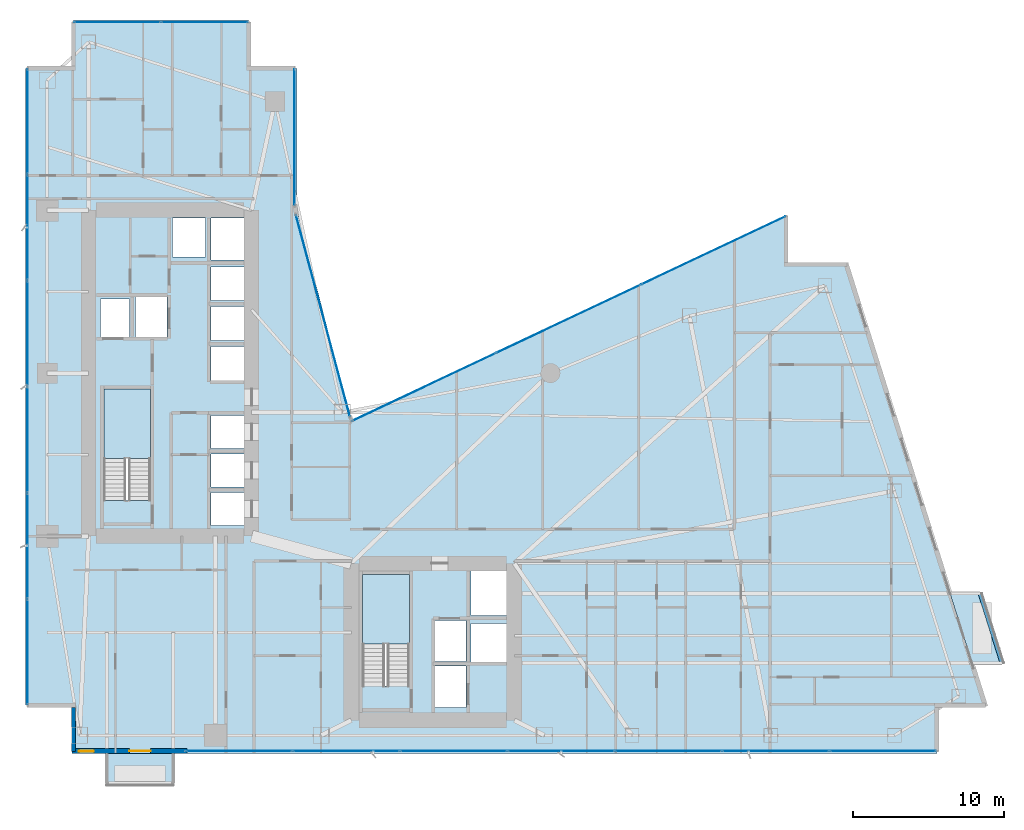
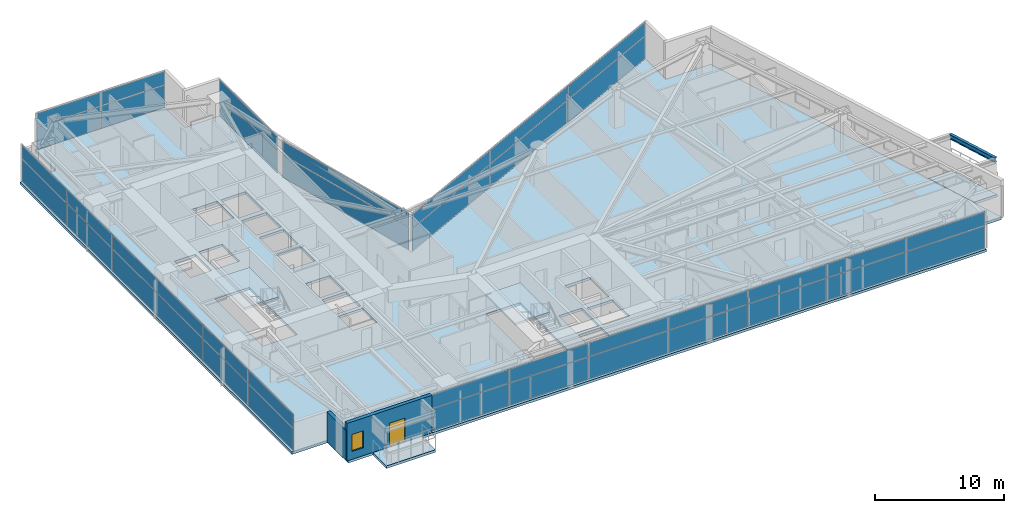
# One storey, part 21 of 30: 40 plates, 5 slabs, 2 walls, 1 beam, 1 door, 1 window, 2 openings, 8 elements without a shape of their own.
"""IFC4 building model written with IfcOpenShell, lengths in metres."""

from ifc_helpers import new_model, si_unit, direction, frame, frame_2d, origin, origin_2d, place, context, subcontext, project, spatial, polyline, rectangle, i_section, outline, extrude, material, layer, layer_set, material_profile, profile_set, type_object, element, fill, aggregate, save


model = new_model("IFC4")

# Units and contexts
model_context = context("Model", 3, precision=1e-05, world=origin(), true_north=direction((0.0, 1.0)))
body_context = subcontext(model_context, "Body", "Model", "MODEL_VIEW")
ifc_project = project(units=[si_unit("LENGTHUNIT", "METRE"), si_unit("AREAUNIT", "SQUARE_METRE"), si_unit("VOLUMEUNIT", "CUBIC_METRE"), si_unit("PLANEANGLEUNIT", "RADIAN"), si_unit("MASSUNIT", "GRAM", prefix="KILO")], contexts=[model_context])

# Site, building, storey
site_placement = place(None, origin())
site = spatial("IfcSite", under=ifc_project, at=site_placement, CompositionType="ELEMENT")
building_placement = place(site_placement, origin())
building = spatial("IfcBuilding", under=site, at=building_placement, Name="Calvorn Quay Hotel", CompositionType="ELEMENT")
storey_placement = place(building_placement, frame((0.0, 0.0, 50.800048828125)))
storey = spatial("IfcBuildingStorey", under=building, at=storey_placement, Name="L11", CompositionType="ELEMENT", Elevation=50.800048828125)

# Beam
ifc_material_1 = material(Name="Steel Q355B", Category="steel")
ifc_material_profile = material_profile(ifc_material_1, i_section(OverallWidth=0.25, OverallDepth=0.449951171875, WebThickness=0.011962890625, FlangeThickness=0.01611328125, FilletRadius=0.01611328125, at=origin_2d()), Name="HN450x250x12x16")
ifc_profile_set = profile_set([ifc_material_profile], Name="Steel Q355B")
beam_type = type_object("IfcBeamType", Name="BM-CANT-BALC", PredefinedType="BEAM", material=ifc_profile_set)
beam_placement = place(storey_placement, frame((64.7080078125, 8.39990234375, 3.31494140625), z_axis=(-0.300620172346, 0.953743944662, 0.0), x_axis=(-0.953743944662, -0.300620172346, 0.0)))
element("IfcBeam", 1, at=beam_placement, inside=storey, type_object=beam_type, Name="Beam BCBO-L12-1", PredefinedType="BEAM", context=body_context, shape_type="SweptSolid", body=[
    extrude(i_section(OverallWidth=0.25, OverallDepth=0.449951171875, WebThickness=0.011962890625, FlangeThickness=0.01611328125, FilletRadius=0.01611328125, at=origin_2d()), origin(), (0.0, 0.0, 1.0), 4.8232421875),
])

# Curtain wall, plates
ifc_material_2 = material(Name="Pale Anodised Aluminium and Low-E Glass", Category="aluminium")
ifc_layer_1 = layer(ifc_material_2, 0.219970703125)
ifc_layer_set_1 = layer_set([ifc_layer_1], Name="CW-SYS-Z1")
curtain_wall_type = type_object("IfcCurtainWallType", Name="CW-SYS-Z1", PredefinedType="NOTDEFINED", material=ifc_layer_set_1)
curtain_wall_1_placement = place(storey_placement, origin())
curtain_wall_1 = element("IfcCurtainWall", 2, at=curtain_wall_1_placement, inside=storey, type_object=curtain_wall_type, Name="Tower West Curtain Wall (L11)", PredefinedType="NOTDEFINED")
ifc_material_3 = material(Name="Low-E Laminated Double Glazing", Category="glass")
ifc_layer_2 = layer(ifc_material_3, 0.028076171875)
ifc_layer_set_2 = layer_set([ifc_layer_2], Name="CW-SYS-Z1-PAN")
plate_type = type_object("IfcPlateType", Name="CW-SYS-Z1-PAN", PredefinedType="CURTAIN_PANEL", material=ifc_layer_set_2)
plate_1_placement = place(storey_placement, frame((0.14990234375, 9.131591796875, 0.06005859375), z_axis=(0.0, 0.0, 1.0), x_axis=(0.0, 1.0, 0.0)))
plate_1 = element("IfcPlate", 3, at=plate_1_placement, type_object=plate_type, Name="CW-L11-W panel 1.1", PredefinedType="CURTAIN_PANEL", context=body_context, shape_type="SweptSolid", body=[
    extrude(rectangle(XDim=6.943359375, YDim=0.028076171875, at=origin_2d()), origin(), (0.0, 0.0, 1.0), 2.110107421875),
])
plate_2_placement = place(storey_placement, frame((0.14990234375, 9.131591796875, 2.22998046875), z_axis=(0.0, 0.0, 1.0), x_axis=(0.0, 1.0, 0.0)))
plate_2 = element("IfcPlate", 4, at=plate_2_placement, type_object=plate_type, Name="CW-L11-W panel 1.2", PredefinedType="CURTAIN_PANEL", context=body_context, shape_type="SweptSolid", body=[
    extrude(rectangle(XDim=6.943359375, YDim=0.028076171875, at=origin_2d()), origin(), (0.0, 0.0, 1.0), 1.27001953125),
])
plate_3_placement = place(storey_placement, frame((0.14990234375, 16.14990234375, 0.06005859375), z_axis=(0.0, 0.0, 1.0), x_axis=(0.0, 1.0, 0.0)))
plate_3 = element("IfcPlate", 5, at=plate_3_placement, type_object=plate_type, Name="CW-L11-W panel 2.1", PredefinedType="CURTAIN_PANEL", context=body_context, shape_type="SweptSolid", body=[
    extrude(rectangle(XDim=6.973388671875, YDim=0.028076171875, at=origin_2d()), origin(), (0.0, 0.0, 1.0), 2.110107421875),
])
plate_4_placement = place(storey_placement, frame((0.14990234375, 16.14990234375, 2.22998046875), z_axis=(0.0, 0.0, 1.0), x_axis=(0.0, 1.0, 0.0)))
plate_4 = element("IfcPlate", 6, at=plate_4_placement, type_object=plate_type, Name="CW-L11-W panel 2.2", PredefinedType="CURTAIN_PANEL", context=body_context, shape_type="SweptSolid", body=[
    extrude(rectangle(XDim=6.973388671875, YDim=0.028076171875, at=origin_2d()), origin(), (0.0, 0.0, 1.0), 1.27001953125),
])
plate_5_placement = place(storey_placement, frame((0.14990234375, 23.183349609375, 0.06005859375), z_axis=(0.0, 0.0, 1.0), x_axis=(0.0, 1.0, 0.0)))
plate_5 = element("IfcPlate", 7, at=plate_5_placement, type_object=plate_type, Name="CW-L11-W panel 3.1", PredefinedType="CURTAIN_PANEL", context=body_context, shape_type="SweptSolid", body=[
    extrude(rectangle(XDim=6.973388671875, YDim=0.028076171875, at=origin_2d()), origin(), (0.0, 0.0, 1.0), 2.110107421875),
])
plate_6_placement = place(storey_placement, frame((0.14990234375, 23.183349609375, 2.22998046875), z_axis=(0.0, 0.0, 1.0), x_axis=(0.0, 1.0, 0.0)))
plate_6 = element("IfcPlate", 8, at=plate_6_placement, type_object=plate_type, Name="CW-L11-W panel 3.2", PredefinedType="CURTAIN_PANEL", context=body_context, shape_type="SweptSolid", body=[
    extrude(rectangle(XDim=6.973388671875, YDim=0.028076171875, at=origin_2d()), origin(), (0.0, 0.0, 1.0), 1.27001953125),
])
plate_7_placement = place(storey_placement, frame((0.14990234375, 30.216552734375, 0.06005859375), z_axis=(0.0, 0.0, 1.0), x_axis=(0.0, 1.0, 0.0)))
plate_7 = element("IfcPlate", 9, at=plate_7_placement, type_object=plate_type, Name="CW-L11-W panel 4.1", PredefinedType="CURTAIN_PANEL", context=body_context, shape_type="SweptSolid", body=[
    extrude(rectangle(XDim=6.973388671875, YDim=0.028076171875, at=origin_2d()), origin(), (0.0, 0.0, 1.0), 2.110107421875),
])
plate_8_placement = place(storey_placement, frame((0.14990234375, 30.216552734375, 2.22998046875), z_axis=(0.0, 0.0, 1.0), x_axis=(0.0, 1.0, 0.0)))
plate_8 = element("IfcPlate", 10, at=plate_8_placement, type_object=plate_type, Name="CW-L11-W panel 4.2", PredefinedType="CURTAIN_PANEL", context=body_context, shape_type="SweptSolid", body=[
    extrude(rectangle(XDim=6.973388671875, YDim=0.028076171875, at=origin_2d()), origin(), (0.0, 0.0, 1.0), 1.27001953125),
])
plate_9_placement = place(storey_placement, frame((0.14990234375, 37.25, 0.06005859375), z_axis=(0.0, 0.0, 1.0), x_axis=(0.0, 1.0, 0.0)))
plate_9 = element("IfcPlate", 11, at=plate_9_placement, type_object=plate_type, Name="CW-L11-W panel 5.1", PredefinedType="CURTAIN_PANEL", context=body_context, shape_type="SweptSolid", body=[
    extrude(rectangle(XDim=6.973388671875, YDim=0.028076171875, at=origin_2d()), origin(), (0.0, 0.0, 1.0), 2.110107421875),
])
plate_10_placement = place(storey_placement, frame((0.14990234375, 37.25, 2.22998046875), z_axis=(0.0, 0.0, 1.0), x_axis=(0.0, 1.0, 0.0)))
plate_10 = element("IfcPlate", 12, at=plate_10_placement, type_object=plate_type, Name="CW-L11-W panel 5.2", PredefinedType="CURTAIN_PANEL", context=body_context, shape_type="SweptSolid", body=[
    extrude(rectangle(XDim=6.973388671875, YDim=0.028076171875, at=origin_2d()), origin(), (0.0, 0.0, 1.0), 1.27001953125),
])
plate_11_placement = place(storey_placement, frame((0.14990234375, 44.268310546875, 0.06005859375), z_axis=(0.0, 0.0, 1.0), x_axis=(0.0, 1.0, 0.0)))
plate_11 = element("IfcPlate", 13, at=plate_11_placement, type_object=plate_type, Name="CW-L11-W panel 6.1", PredefinedType="CURTAIN_PANEL", context=body_context, shape_type="SweptSolid", body=[
    extrude(rectangle(XDim=6.943359375, YDim=0.028076171875, at=origin_2d()), origin(), (0.0, 0.0, 1.0), 2.110107421875),
])
plate_12_placement = place(storey_placement, frame((0.14990234375, 44.268310546875, 2.22998046875), z_axis=(0.0, 0.0, 1.0), x_axis=(0.0, 1.0, 0.0)))
plate_12 = element("IfcPlate", 14, at=plate_12_placement, type_object=plate_type, Name="CW-L11-W panel 6.2", PredefinedType="CURTAIN_PANEL", context=body_context, shape_type="SweptSolid", body=[
    extrude(rectangle(XDim=6.943359375, YDim=0.028076171875, at=origin_2d()), origin(), (0.0, 0.0, 1.0), 1.27001953125),
])
aggregate(curtain_wall_1, [plate_1, plate_2, plate_3, plate_4, plate_5, plate_6, plate_7, plate_8, plate_9, plate_10, plate_11, plate_12])

curtain_wall_2_placement = place(storey_placement, origin())
curtain_wall_2 = element("IfcCurtainWall", 15, at=curtain_wall_2_placement, inside=storey, type_object=curtain_wall_type, Name="Tower South Waterfront Curtain Wall (L11)", PredefinedType="NOTDEFINED")
plate_13_placement = place(storey_placement, frame((14.172119140625, 2.550048828125, 0.06005859375), z_axis=(0.0, 0.0, 1.0), x_axis=(1.0, 0.0, 0.0)))
plate_13 = element("IfcPlate", 16, at=plate_13_placement, type_object=plate_type, Name="CW-L11-S panel 1.1", PredefinedType="CURTAIN_PANEL", context=body_context, shape_type="SweptSolid", body=[
    extrude(rectangle(XDim=7.024169921875, YDim=0.028076171875, at=origin_2d()), origin(), (0.0, 0.0, 1.0), 2.110107421875),
])
plate_14_placement = place(storey_placement, frame((14.172119140625, 2.550048828125, 2.22998046875), z_axis=(0.0, 0.0, 1.0), x_axis=(1.0, 0.0, 0.0)))
plate_14 = element("IfcPlate", 17, at=plate_14_placement, type_object=plate_type, Name="CW-L11-S panel 1.2", PredefinedType="CURTAIN_PANEL", context=body_context, shape_type="SweptSolid", body=[
    extrude(rectangle(XDim=7.024169921875, YDim=0.028076171875, at=origin_2d()), origin(), (0.0, 0.0, 1.0), 1.27001953125),
])
plate_15_placement = place(storey_placement, frame((21.271484375, 2.550048828125, 0.06005859375), z_axis=(0.0, 0.0, 1.0), x_axis=(1.0, 0.0, 0.0)))
plate_15 = element("IfcPlate", 18, at=plate_15_placement, type_object=plate_type, Name="CW-L11-S panel 2.1", PredefinedType="CURTAIN_PANEL", context=body_context, shape_type="SweptSolid", body=[
    extrude(rectangle(XDim=7.05419921875, YDim=0.028076171875, at=origin_2d()), origin(), (0.0, 0.0, 1.0), 2.110107421875),
])
plate_16_placement = place(storey_placement, frame((21.271484375, 2.550048828125, 2.22998046875), z_axis=(0.0, 0.0, 1.0), x_axis=(1.0, 0.0, 0.0)))
plate_16 = element("IfcPlate", 19, at=plate_16_placement, type_object=plate_type, Name="CW-L11-S panel 2.2", PredefinedType="CURTAIN_PANEL", context=body_context, shape_type="SweptSolid", body=[
    extrude(rectangle(XDim=7.05419921875, YDim=0.028076171875, at=origin_2d()), origin(), (0.0, 0.0, 1.0), 1.27001953125),
])
plate_17_placement = place(storey_placement, frame((28.3857421875, 2.550048828125, 0.06005859375), z_axis=(0.0, 0.0, 1.0), x_axis=(1.0, 0.0, 0.0)))
plate_17 = element("IfcPlate", 20, at=plate_17_placement, type_object=plate_type, Name="CW-L11-S panel 3.1", PredefinedType="CURTAIN_PANEL", context=body_context, shape_type="SweptSolid", body=[
    extrude(rectangle(XDim=7.05419921875, YDim=0.028076171875, at=origin_2d()), origin(), (0.0, 0.0, 1.0), 2.110107421875),
])
plate_18_placement = place(storey_placement, frame((28.3857421875, 2.550048828125, 2.22998046875), z_axis=(0.0, 0.0, 1.0), x_axis=(1.0, 0.0, 0.0)))
plate_18 = element("IfcPlate", 21, at=plate_18_placement, type_object=plate_type, Name="CW-L11-S panel 3.2", PredefinedType="CURTAIN_PANEL", context=body_context, shape_type="SweptSolid", body=[
    extrude(rectangle(XDim=7.05419921875, YDim=0.028076171875, at=origin_2d()), origin(), (0.0, 0.0, 1.0), 1.27001953125),
])
plate_19_placement = place(storey_placement, frame((35.5, 2.550048828125, 0.06005859375), z_axis=(0.0, 0.0, 1.0), x_axis=(1.0, 0.0, 0.0)))
plate_19 = element("IfcPlate", 22, at=plate_19_placement, type_object=plate_type, Name="CW-L11-S panel 4.1", PredefinedType="CURTAIN_PANEL", context=body_context, shape_type="SweptSolid", body=[
    extrude(rectangle(XDim=7.05419921875, YDim=0.028076171875, at=origin_2d()), origin(), (0.0, 0.0, 1.0), 2.110107421875),
])
plate_20_placement = place(storey_placement, frame((35.5, 2.550048828125, 2.22998046875), z_axis=(0.0, 0.0, 1.0), x_axis=(1.0, 0.0, 0.0)))
plate_20 = element("IfcPlate", 23, at=plate_20_placement, type_object=plate_type, Name="CW-L11-S panel 4.2", PredefinedType="CURTAIN_PANEL", context=body_context, shape_type="SweptSolid", body=[
    extrude(rectangle(XDim=7.05419921875, YDim=0.028076171875, at=origin_2d()), origin(), (0.0, 0.0, 1.0), 1.27001953125),
])
plate_21_placement = place(storey_placement, frame((42.6142578125, 2.550048828125, 0.06005859375), z_axis=(0.0, 0.0, 1.0), x_axis=(1.0, 0.0, 0.0)))
plate_21 = element("IfcPlate", 24, at=plate_21_placement, type_object=plate_type, Name="CW-L11-S panel 5.1", PredefinedType="CURTAIN_PANEL", context=body_context, shape_type="SweptSolid", body=[
    extrude(rectangle(XDim=7.05419921875, YDim=0.028076171875, at=origin_2d()), origin(), (0.0, 0.0, 1.0), 2.110107421875),
])
plate_22_placement = place(storey_placement, frame((42.6142578125, 2.550048828125, 2.22998046875), z_axis=(0.0, 0.0, 1.0), x_axis=(1.0, 0.0, 0.0)))
plate_22 = element("IfcPlate", 25, at=plate_22_placement, type_object=plate_type, Name="CW-L11-S panel 5.2", PredefinedType="CURTAIN_PANEL", context=body_context, shape_type="SweptSolid", body=[
    extrude(rectangle(XDim=7.05419921875, YDim=0.028076171875, at=origin_2d()), origin(), (0.0, 0.0, 1.0), 1.27001953125),
])
plate_23_placement = place(storey_placement, frame((49.728515625, 2.550048828125, 0.06005859375), z_axis=(0.0, 0.0, 1.0), x_axis=(1.0, 0.0, 0.0)))
plate_23 = element("IfcPlate", 26, at=plate_23_placement, type_object=plate_type, Name="CW-L11-S panel 6.1", PredefinedType="CURTAIN_PANEL", context=body_context, shape_type="SweptSolid", body=[
    extrude(rectangle(XDim=7.05419921875, YDim=0.028076171875, at=origin_2d()), origin(), (0.0, 0.0, 1.0), 2.110107421875),
])
plate_24_placement = place(storey_placement, frame((49.728515625, 2.550048828125, 2.22998046875), z_axis=(0.0, 0.0, 1.0), x_axis=(1.0, 0.0, 0.0)))
plate_24 = element("IfcPlate", 27, at=plate_24_placement, type_object=plate_type, Name="CW-L11-S panel 6.2", PredefinedType="CURTAIN_PANEL", context=body_context, shape_type="SweptSolid", body=[
    extrude(rectangle(XDim=7.05419921875, YDim=0.028076171875, at=origin_2d()), origin(), (0.0, 0.0, 1.0), 1.27001953125),
])
plate_25_placement = place(storey_placement, frame((56.827880859375, 2.550048828125, 0.06005859375), z_axis=(0.0, 0.0, 1.0), x_axis=(1.0, 0.0, 0.0)))
plate_25 = element("IfcPlate", 28, at=plate_25_placement, type_object=plate_type, Name="CW-L11-S panel 7.1", PredefinedType="CURTAIN_PANEL", context=body_context, shape_type="SweptSolid", body=[
    extrude(rectangle(XDim=7.024169921875, YDim=0.028076171875, at=origin_2d()), origin(), (0.0, 0.0, 1.0), 2.110107421875),
])
plate_26_placement = place(storey_placement, frame((56.827880859375, 2.550048828125, 2.22998046875), z_axis=(0.0, 0.0, 1.0), x_axis=(1.0, 0.0, 0.0)))
plate_26 = element("IfcPlate", 29, at=plate_26_placement, type_object=plate_type, Name="CW-L11-S panel 7.2", PredefinedType="CURTAIN_PANEL", context=body_context, shape_type="SweptSolid", body=[
    extrude(rectangle(XDim=7.024169921875, YDim=0.028076171875, at=origin_2d()), origin(), (0.0, 0.0, 1.0), 1.27001953125),
])
aggregate(curtain_wall_2, [plate_13, plate_14, plate_15, plate_16, plate_17, plate_18, plate_19, plate_20, plate_21, plate_22, plate_23, plate_24, plate_25, plate_26])

curtain_wall_3_placement = place(storey_placement, origin())
curtain_wall_3 = element("IfcCurtainWall", 30, at=curtain_wall_3_placement, inside=storey, type_object=curtain_wall_type, Name="Inner Court Curtain Wall L11-NE1", PredefinedType="NOTDEFINED")
plate_27_placement = place(storey_placement, frame((45.58642578125, 35.726806640625, 0.06005859375), z_axis=(0.0, 0.0, 1.0), x_axis=(-0.904248646743, -0.427006305415, 0.0)))
plate_27 = element("IfcPlate", 31, at=plate_27_placement, type_object=plate_type, Name="CW-L11-NE1 panel 1.1", PredefinedType="CURTAIN_PANEL", context=body_context, shape_type="SweptSolid", body=[
    extrude(rectangle(XDim=10.526611328125, YDim=0.028076171875, at=origin_2d()), origin(), (0.0, 0.0, 1.0), 2.110107421875),
])
plate_28_placement = place(storey_placement, frame((45.58642578125, 35.726806640625, 2.22998046875), z_axis=(0.0, 0.0, 1.0), x_axis=(-0.904248646743, -0.427006305415, 0.0)))
plate_28 = element("IfcPlate", 32, at=plate_28_placement, type_object=plate_type, Name="CW-L11-NE1 panel 1.2", PredefinedType="CURTAIN_PANEL", context=body_context, shape_type="SweptSolid", body=[
    extrude(rectangle(XDim=10.526611328125, YDim=0.028076171875, at=origin_2d()), origin(), (0.0, 0.0, 1.0), 1.27001953125),
])
plate_29_placement = place(storey_placement, frame((36.0, 31.199951171875, 0.06005859375), z_axis=(0.0, 0.0, 1.0), x_axis=(-0.904248646743, -0.427006305415, 0.0)))
plate_29 = element("IfcPlate", 33, at=plate_29_placement, type_object=plate_type, Name="CW-L11-NE1 panel 2.1", PredefinedType="CURTAIN_PANEL", context=body_context, shape_type="SweptSolid", body=[
    extrude(rectangle(XDim=10.556640625, YDim=0.028076171875, at=origin_2d()), origin(), (0.0, 0.0, 1.0), 2.110107421875),
])
plate_30_placement = place(storey_placement, frame((36.0, 31.199951171875, 2.22998046875), z_axis=(0.0, 0.0, 1.0), x_axis=(-0.904248646743, -0.427006305415, 0.0)))
plate_30 = element("IfcPlate", 34, at=plate_30_placement, type_object=plate_type, Name="CW-L11-NE1 panel 2.2", PredefinedType="CURTAIN_PANEL", context=body_context, shape_type="SweptSolid", body=[
    extrude(rectangle(XDim=10.556640625, YDim=0.028076171875, at=origin_2d()), origin(), (0.0, 0.0, 1.0), 1.27001953125),
])
plate_31_placement = place(storey_placement, frame((26.41357421875, 26.673095703125, 0.06005859375), z_axis=(0.0, 0.0, 1.0), x_axis=(-0.904248646743, -0.427006305415, 0.0)))
plate_31 = element("IfcPlate", 35, at=plate_31_placement, type_object=plate_type, Name="CW-L11-NE1 panel 3.1", PredefinedType="CURTAIN_PANEL", context=body_context, shape_type="SweptSolid", body=[
    extrude(rectangle(XDim=10.526611328125, YDim=0.028076171875, at=origin_2d()), origin(), (0.0, 0.0, 1.0), 2.110107421875),
])
plate_32_placement = place(storey_placement, frame((26.41357421875, 26.673095703125, 2.22998046875), z_axis=(0.0, 0.0, 1.0), x_axis=(-0.904248646743, -0.427006305415, 0.0)))
plate_32 = element("IfcPlate", 36, at=plate_32_placement, type_object=plate_type, Name="CW-L11-NE1 panel 3.2", PredefinedType="CURTAIN_PANEL", context=body_context, shape_type="SweptSolid", body=[
    extrude(rectangle(XDim=10.526611328125, YDim=0.028076171875, at=origin_2d()), origin(), (0.0, 0.0, 1.0), 1.27001953125),
])
aggregate(curtain_wall_3, [plate_27, plate_28, plate_29, plate_30, plate_31, plate_32])

curtain_wall_4_placement = place(storey_placement, origin())
curtain_wall_4 = element("IfcCurtainWall", 37, at=curtain_wall_4_placement, inside=storey, type_object=curtain_wall_type, Name="Inner Court Curtain Wall L11-IC1", PredefinedType="NOTDEFINED")
plate_33_placement = place(storey_placement, frame((19.72509765625, 31.39990234375, 0.06005859375), z_axis=(0.0, 0.0, 1.0), x_axis=(-0.25877913024, 0.96593652056, 0.0)))
plate_33 = element("IfcPlate", 38, at=plate_33_placement, type_object=plate_type, Name="CW-L11-IC1 panel 1.1", PredefinedType="CURTAIN_PANEL", context=body_context, shape_type="SweptSolid", body=[
    extrude(rectangle(XDim=13.814697265625, YDim=0.028076171875, at=origin_2d()), origin(), (0.0, 0.0, 1.0), 2.110107421875),
])
plate_34_placement = place(storey_placement, frame((19.72509765625, 31.39990234375, 2.22998046875), z_axis=(0.0, 0.0, 1.0), x_axis=(-0.25877913024, 0.96593652056, 0.0)))
plate_34 = element("IfcPlate", 39, at=plate_34_placement, type_object=plate_type, Name="CW-L11-IC1 panel 1.2", PredefinedType="CURTAIN_PANEL", context=body_context, shape_type="SweptSolid", body=[
    extrude(rectangle(XDim=13.814697265625, YDim=0.028076171875, at=origin_2d()), origin(), (0.0, 0.0, 1.0), 1.27001953125),
])
aggregate(curtain_wall_4, [plate_33, plate_34])

curtain_wall_5_placement = place(storey_placement, origin())
curtain_wall_5 = element("IfcCurtainWall", 40, at=curtain_wall_5_placement, inside=storey, type_object=curtain_wall_type, Name="Inner Court Curtain Wall L11-IC2", PredefinedType="NOTDEFINED")
plate_35_placement = place(storey_placement, frame((17.85009765625, 43.239990234375, 0.06005859375), z_axis=(0.0, 0.0, 1.0), x_axis=(0.0, 1.0, 0.0)))
plate_35 = element("IfcPlate", 41, at=plate_35_placement, type_object=plate_type, Name="CW-L11-IC2 panel 1.1", PredefinedType="CURTAIN_PANEL", context=body_context, shape_type="SweptSolid", body=[
    extrude(rectangle(XDim=9.0, YDim=0.028076171875, at=origin_2d()), origin(), (0.0, 0.0, 1.0), 2.110107421875),
])
plate_36_placement = place(storey_placement, frame((17.85009765625, 43.239990234375, 2.22998046875), z_axis=(0.0, 0.0, 1.0), x_axis=(0.0, 1.0, 0.0)))
plate_36 = element("IfcPlate", 42, at=plate_36_placement, type_object=plate_type, Name="CW-L11-IC2 panel 1.2", PredefinedType="CURTAIN_PANEL", context=body_context, shape_type="SweptSolid", body=[
    extrude(rectangle(XDim=9.0, YDim=0.028076171875, at=origin_2d()), origin(), (0.0, 0.0, 1.0), 1.27001953125),
])
aggregate(curtain_wall_5, [plate_35, plate_36])

curtain_wall_6_placement = place(storey_placement, origin())
curtain_wall_6 = element("IfcCurtainWall", 43, at=curtain_wall_6_placement, inside=storey, type_object=curtain_wall_type, Name="Inner Court Curtain Wall L11-N1", PredefinedType="NOTDEFINED")
plate_37_placement = place(storey_placement, frame((11.885009765625, 50.85009765625, 0.06005859375), z_axis=(0.0, 0.0, 1.0), x_axis=(-1.0, 0.0, 0.0)))
plate_37 = element("IfcPlate", 44, at=plate_37_placement, type_object=plate_type, Name="CW-L11-N1 panel 1.1", PredefinedType="CURTAIN_PANEL", context=body_context, shape_type="SweptSolid", body=[
    extrude(rectangle(XDim=5.7099609375, YDim=0.028076171875, at=origin_2d()), origin(), (0.0, 0.0, 1.0), 2.110107421875),
])
plate_38_placement = place(storey_placement, frame((11.885009765625, 50.85009765625, 2.22998046875), z_axis=(0.0, 0.0, 1.0), x_axis=(-1.0, 0.0, 0.0)))
plate_38 = element("IfcPlate", 45, at=plate_38_placement, type_object=plate_type, Name="CW-L11-N1 panel 1.2", PredefinedType="CURTAIN_PANEL", context=body_context, shape_type="SweptSolid", body=[
    extrude(rectangle(XDim=5.7099609375, YDim=0.028076171875, at=origin_2d()), origin(), (0.0, 0.0, 1.0), 1.27001953125),
])
plate_39_placement = place(storey_placement, frame((6.114990234375, 50.85009765625, 0.06005859375), z_axis=(0.0, 0.0, 1.0), x_axis=(-1.0, 0.0, 0.0)))
plate_39 = element("IfcPlate", 46, at=plate_39_placement, type_object=plate_type, Name="CW-L11-N1 panel 2.1", PredefinedType="CURTAIN_PANEL", context=body_context, shape_type="SweptSolid", body=[
    extrude(rectangle(XDim=5.7099609375, YDim=0.028076171875, at=origin_2d()), origin(), (0.0, 0.0, 1.0), 2.110107421875),
])
plate_40_placement = place(storey_placement, frame((6.114990234375, 50.85009765625, 2.22998046875), z_axis=(0.0, 0.0, 1.0), x_axis=(-1.0, 0.0, 0.0)))
plate_40 = element("IfcPlate", 47, at=plate_40_placement, type_object=plate_type, Name="CW-L11-N1 panel 2.2", PredefinedType="CURTAIN_PANEL", context=body_context, shape_type="SweptSolid", body=[
    extrude(rectangle(XDim=5.7099609375, YDim=0.028076171875, at=origin_2d()), origin(), (0.0, 0.0, 1.0), 1.27001953125),
])
aggregate(curtain_wall_6, [plate_37, plate_38, plate_39, plate_40])

# Slabs
ifc_material_4 = material(Name="Concrete C40", Category="concrete")
ifc_layer_3 = layer(ifc_material_4, 0.239990234375)
ifc_layer_set_3 = layer_set([ifc_layer_3], Name="SLB-BALCONY-220")
slab_type_1 = type_object("IfcSlabType", Name="SLB-BALCONY-220", PredefinedType="FLOOR", material=ifc_layer_set_3)
slab_1_placement = place(storey_placement, frame((0.0, 0.0, -0.239990234375)))
element("IfcSlab", 48, at=slab_1_placement, inside=storey, type_object=slab_type_1, Name="Tree Balcony Slab L11-BALC-E", PredefinedType="FLOOR", context=body_context, shape_type="SweptSolid", body=[
    extrude(outline(polyline([(62.72802734375, 8.39990234375), (64.827880859375, 8.39990234375), (63.3779296875, 13.0), (61.278076171875, 13.0), (62.72802734375, 8.39990234375)])), origin(), (0.0, 0.0, 1.0), 0.239990234375),
])
slab_2_placement = place(storey_placement, frame((0.0, 0.0, -0.239990234375)))
element("IfcSlab", 49, at=slab_2_placement, inside=storey, type_object=slab_type_1, Name="Tree Balcony Slab L11-BALC-S", PredefinedType="FLOOR", context=body_context, shape_type="SweptSolid", body=[
    extrude(outline(polyline([(5.39990234375, 0.2900390625), (9.800048828125, 0.2900390625), (9.800048828125, 2.389892578125), (5.39990234375, 2.389892578125), (5.39990234375, 0.2900390625)])), origin(), (0.0, 0.0, 1.0), 0.239990234375),
])

# Stair, slab
ifc_material_5 = material(Name="Concrete C40", Category="concrete")
stair_type = type_object("IfcStairType", Name="STR-CORE-DOGLEG", PredefinedType="HALF_TURN_STAIR", material=ifc_material_5)
stair_1_placement = place(storey_placement, origin())
stair_1 = element("IfcStair", 50, at=stair_1_placement, inside=storey, type_object=stair_type, Name="L11 ST-W", PredefinedType="HALF_TURN_STAIR")
ifc_material_6 = material(Name="Concrete C40", Category="concrete")
ifc_layer_4 = layer(ifc_material_6, 0.199951171875)
ifc_layer_set_4 = layer_set([ifc_layer_4], Name="SLB-STAIR-LANDING-200")
slab_type_2 = type_object("IfcSlabType", Name="SLB-STAIR-LANDING-200", PredefinedType="LANDING", material=ifc_layer_set_4)
slab_3_placement = place(storey_placement, frame((0.0, 0.0, 1.699951171875)))
slab_3 = element("IfcSlab", 51, at=slab_3_placement, type_object=slab_type_2, Name="ST-W landing 1", PredefinedType="LANDING", context=body_context, shape_type="SweptSolid", body=[
    extrude(outline(polyline([(8.300048828125, 21.949951171875), (8.300048828125, 26.550048828125), (5.199951171875, 26.550048828125), (5.199951171875, 21.949951171875), (8.300048828125, 21.949951171875)])), origin(), (0.0, 0.0, 1.0), 0.199951171875),
])
aggregate(stair_1, [slab_3])

stair_2_placement = place(storey_placement, origin())
stair_2 = element("IfcStair", 52, at=stair_2_placement, inside=storey, type_object=stair_type, Name="L11 ST-E", PredefinedType="HALF_TURN_STAIR")
slab_4_placement = place(storey_placement, frame((0.0, 0.0, 1.699951171875)))
slab_4 = element("IfcSlab", 53, at=slab_4_placement, type_object=slab_type_2, Name="ST-E landing 1", PredefinedType="LANDING", context=body_context, shape_type="SweptSolid", body=[
    extrude(outline(polyline([(25.449951171875, 9.64990234375), (25.449951171875, 14.25), (22.35009765625, 14.25), (22.35009765625, 9.64990234375), (25.449951171875, 9.64990234375)])), origin(), (0.0, 0.0, 1.0), 0.199951171875),
])
aggregate(stair_2, [slab_4])

# Slab
ifc_material_7 = material(Name="Concrete C40", Category="concrete")
ifc_layer_5 = layer(ifc_material_7, 0.239990234375)
ifc_layer_set_5 = layer_set([ifc_layer_5], Name="SLB-TOWER-240")
slab_type_3 = type_object("IfcSlabType", Name="SLB-TOWER-240", PredefinedType="FLOOR", material=ifc_layer_set_5)
slab_5_placement = place(storey_placement, frame((0.0, 0.0, -0.239990234375)))
element("IfcSlab", 54, at=slab_5_placement, inside=storey, type_object=slab_type_3, Name="L11 Structural Floor Slab", PredefinedType="FLOOR", context=body_context, shape_type="SweptSolid", body=[
    extrude(outline(polyline([(0.0, 5.60009765625), (3.199951171875, 5.60009765625), (3.199951171875, 2.39990234375), (60.39990234375, 2.39990234375), (60.39990234375, 5.60009765625), (63.60009765625, 5.60009765625), (54.39990234375, 34.800048828125), (50.39990234375, 34.800048828125), (50.39990234375, 38.0), (21.60009765625, 24.39990234375), (18.0, 38.39990234375), (18.0, 47.800048828125), (14.800048828125, 47.800048828125), (14.800048828125, 51.0), (3.199951171875, 51.0), (3.199951171875, 47.800048828125), (0.0, 47.800048828125), (0.0, 5.60009765625)]), holes=[polyline([(5.199951171875, 19.156005859375), (8.300048828125, 19.156005859375), (8.300048828125, 26.550048828125), (5.199951171875, 26.550048828125), (5.199951171875, 19.156005859375)]), polyline([(22.35009765625, 6.85595703125), (25.449951171875, 6.85595703125), (25.449951171875, 14.25), (22.35009765625, 14.25), (22.35009765625, 6.85595703125)]), polyline([(5.0, 30.0), (6.89990234375, 30.0), (6.89990234375, 32.5), (5.0, 32.5), (5.0, 30.0)]), polyline([(7.300048828125, 30.0), (9.39990234375, 30.0), (9.39990234375, 32.64990234375), (7.300048828125, 32.64990234375), (7.300048828125, 30.0)]), polyline([(27.159912109375, 8.5), (29.2099609375, 8.5), (29.2099609375, 11.199951171875), (27.159912109375, 11.199951171875), (27.159912109375, 8.5)]), polyline([(27.159912109375, 5.449951171875), (29.2099609375, 5.449951171875), (29.2099609375, 8.199951171875), (27.159912109375, 8.199951171875), (27.159912109375, 5.449951171875)]), polyline([(12.300048828125, 17.5), (14.489990234375, 17.5), (14.489990234375, 19.699951171875), (12.300048828125, 19.699951171875), (12.300048828125, 17.5)]), polyline([(12.300048828125, 20.050048828125), (14.489990234375, 20.050048828125), (14.489990234375, 22.25), (12.300048828125, 22.25), (12.300048828125, 20.050048828125)]), polyline([(12.300048828125, 22.60009765625), (14.489990234375, 22.60009765625), (14.489990234375, 24.800048828125), (12.300048828125, 24.800048828125), (12.300048828125, 22.60009765625)]), polyline([(12.300048828125, 27.10009765625), (14.489990234375, 27.10009765625), (14.489990234375, 29.35009765625), (12.300048828125, 29.35009765625), (12.300048828125, 27.10009765625)]), polyline([(12.300048828125, 29.75), (14.489990234375, 29.75), (14.489990234375, 32.0), (12.300048828125, 32.0), (12.300048828125, 29.75)]), polyline([(12.300048828125, 32.39990234375), (14.489990234375, 32.39990234375), (14.489990234375, 34.64990234375), (12.300048828125, 34.64990234375), (12.300048828125, 32.39990234375)]), polyline([(12.300048828125, 35.10009765625), (14.489990234375, 35.10009765625), (14.489990234375, 37.889892578125), (12.300048828125, 37.889892578125), (12.300048828125, 35.10009765625)]), polyline([(9.75, 35.300048828125), (11.949951171875, 35.300048828125), (11.949951171875, 37.889892578125), (9.75, 37.889892578125), (9.75, 35.300048828125)]), polyline([(29.550048828125, 11.550048828125), (31.889892578125, 11.550048828125), (31.889892578125, 14.489990234375), (29.550048828125, 14.489990234375), (29.550048828125, 11.550048828125)]), polyline([(29.550048828125, 8.449951171875), (31.889892578125, 8.449951171875), (31.889892578125, 11.0), (29.550048828125, 11.0), (29.550048828125, 8.449951171875)])]), origin(), (0.0, 0.0, 1.0), 0.239990234375),
])

# Wall, openings, door, window
ifc_material_8 = material(Name="Concrete C40", Category="concrete")
ifc_layer_6 = layer(ifc_material_8, 0.320068359375)
ifc_layer_set_6 = layer_set([ifc_layer_6], Name="WL-EXT-SPANDREL-320")
wall_type = type_object("IfcWallType", Name="WL-EXT-SPANDREL-320", PredefinedType="SOLIDWALL", material=ifc_layer_set_6)
wall_1_placement = place(storey_placement, frame((3.10009765625, 2.56005859375, 0.0), z_axis=(0.0, 0.0, 1.0), x_axis=(1.0, 0.0, 0.0)))
wall_1 = element("IfcWall", 55, at=wall_1_placement, inside=storey, type_object=wall_type, Name="South Balcony Exterior Wall (L11)", PredefinedType="SOLIDWALL", context=body_context, shape_type="SweptSolid", body=[
    extrude(rectangle(XDim=7.599853515625, YDim=0.320068359375, at=frame_2d((3.7998046875, 0.0))), origin(), (0.0, 0.0, 1.0), 3.56005859375),
])
opening_1_placement = place(wall_1_placement, frame((0.449951171875, 0.0, 0.75)))
opening_1 = element("IfcOpeningElement", 56, at=opening_1_placement, cuts=wall_1, Name="Opening WSB-L11-1", PredefinedType="OPENING", context=body_context, shape_type="SweptSolid", body=[
    extrude(rectangle(XDim=1.0, YDim=1.60009765625, at=frame_2d((0.5, 0.800048828125))), frame((0.0, 0.169921875, 0.0), z_axis=(0.0, -1.0, 0.0), x_axis=(1.0, 0.0, 0.0)), (0.0, 0.0, 1.0), 0.340087890625),
])
opening_2_placement = place(wall_1_placement, frame((3.800048828125, 0.0, 0.0)))
opening_2 = element("IfcOpeningElement", 57, at=opening_2_placement, cuts=wall_1, Name="Opening DB-L11-2", PredefinedType="OPENING", context=body_context, shape_type="SweptSolid", body=[
    extrude(rectangle(XDim=1.39990234375, YDim=2.25, at=frame_2d((0.699951171875, 1.125))), frame((0.0, 0.169921875, 0.0), z_axis=(0.0, -1.0, 0.0), x_axis=(1.0, 0.0, 0.0)), (0.0, 0.0, 1.0), 0.340087890625),
])
ifc_material_9 = material(Name="Typhoon-Rated Low-E Aluminium Terrace Door", Category="aluminium")
door_type = type_object("IfcDoorType", Name="DR-BALCONY-GLZ-1400", OperationType="NOTDEFINED", PredefinedType="DOOR", material=ifc_material_9)
door_placement = place(opening_2_placement, origin())
door = element("IfcDoor", 58, at=door_placement, inside=storey, type_object=door_type, Name="Tree Balcony Terrace Door L11-BALC-S", OperationType="SINGLE_SWING_LEFT", OverallHeight=2.25, OverallWidth=1.39990234375, PredefinedType="DOOR", context=body_context, shape_type="SweptSolid", body=[
    extrude(rectangle(XDim=1.39990234375, YDim=2.25, at=frame_2d((0.699951171875, 1.125))), frame((0.0, 0.02490234375, 0.0), z_axis=(0.0, -1.0, 0.0), x_axis=(1.0, 0.0, 0.0)), (0.0, 0.0, 1.0), 0.050048828125),
])
fill(opening_2, door)
ifc_material_10 = material(Name="Self-Closing Class B Side Fire Window")
window_type = type_object("IfcWindowType", Name="WIN-REFUGE-NARROW-1000x1600", PartitioningType="SINGLE_PANEL", PredefinedType="WINDOW", material=ifc_material_10)
window_placement = place(opening_1_placement, origin())
window = element("IfcWindow", 59, at=window_placement, inside=storey, type_object=window_type, Name="South Waterfront Side Window (L11)", OverallHeight=1.60009765625, OverallWidth=1.0, PartitioningType="SINGLE_PANEL", PredefinedType="WINDOW", context=body_context, shape_type="SweptSolid", body=[
    extrude(rectangle(XDim=1.0, YDim=1.60009765625, at=frame_2d((0.5, 0.800048828125))), frame((0.0, 0.030029296875, 0.0), z_axis=(0.0, -1.0, 0.0), x_axis=(1.0, 0.0, 0.0)), (0.0, 0.0, 1.0), 0.06005859375),
])
fill(opening_1, window)

# Wall
wall_2_placement = place(storey_placement, frame((3.199951171875, 5.4599609375, 0.0), z_axis=(0.0, 0.0, 1.0), x_axis=(0.0, -1.0, 0.0)))
element("IfcWall", 60, at=wall_2_placement, inside=storey, type_object=wall_type, Name="Notched Corner Spandrel L11-SW2", PredefinedType="SOLIDWALL", context=body_context, shape_type="SweptSolid", body=[
    extrude(rectangle(XDim=2.93994140625, YDim=0.280029296875, at=frame_2d((1.469970703125, 0.0))), origin(), (0.0, 0.0, 1.0), 2.83984375),
])

save(model, "model.ifc")
